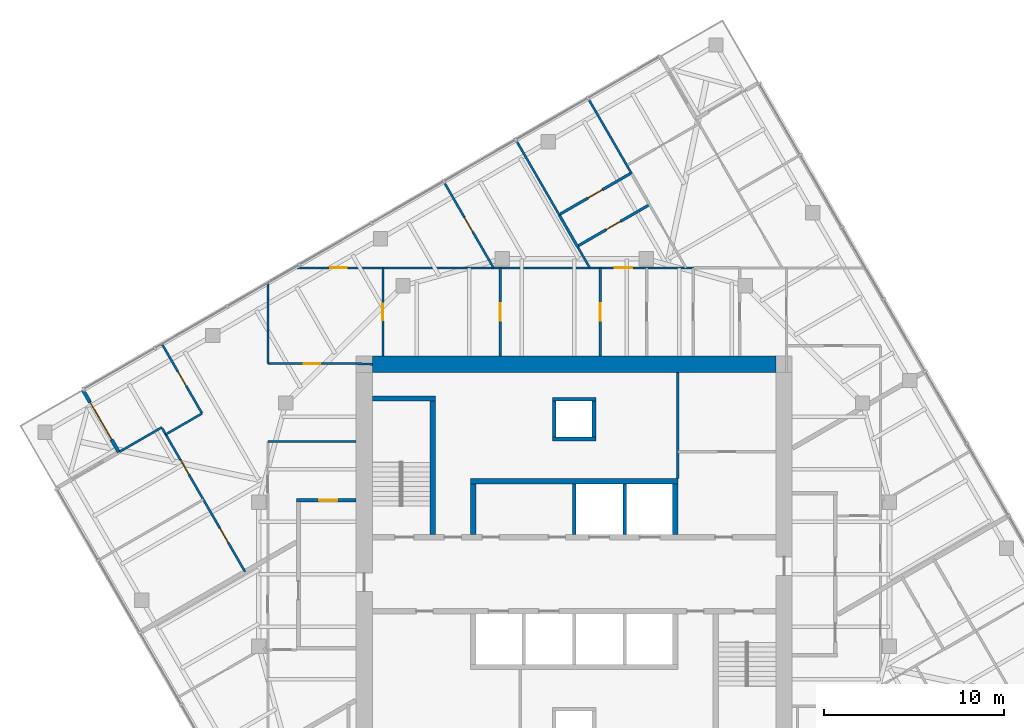
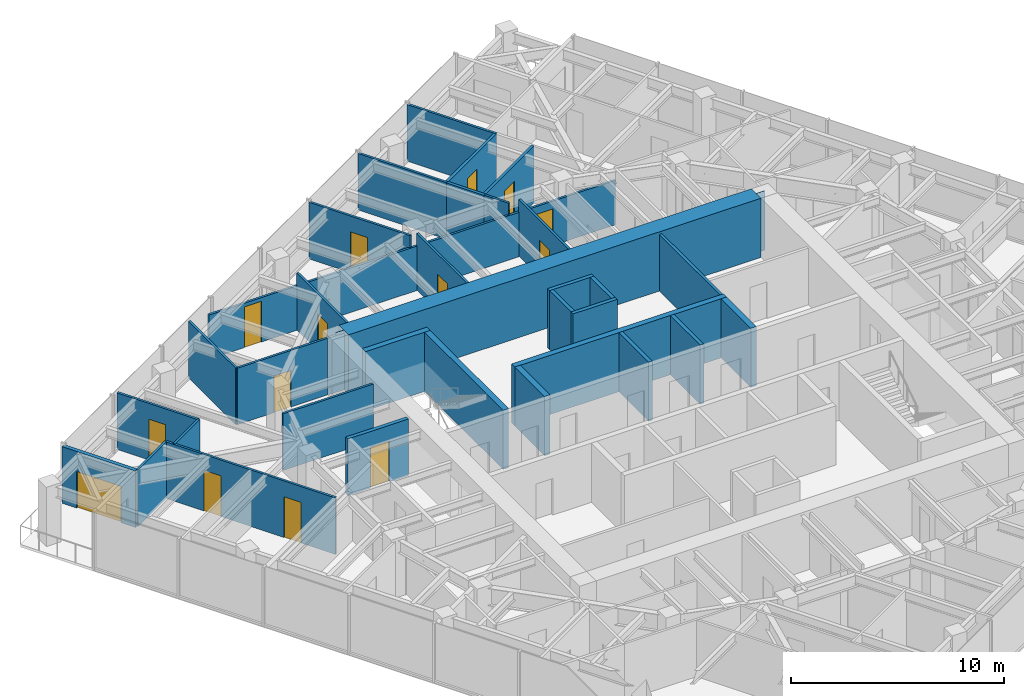
# One storey, part 10 of 12: 34 walls, 14 doors, 14 openings.
"""IFC4 building model written with IfcOpenShell, lengths in metres."""

import ifcopenshell
import ifcopenshell.guid

model = None  # the IFC model being written
_history = None  # IfcOwnerHistory: only IFC2X3 demands one
_inside = {}  # id of a spatial element -> (the spatial element, [elements in it])
_under = {}  # id of a project, library or spatial element -> (it, [spatial elements below it])
_declared = {}  # id of a project -> (the project, [libraries it declares])
_typed = {}  # id of a type object -> (the type object, [elements of that type])
_made_of = {}  # id of a material, layer set ... -> (it, [elements and type objects made of it])


def new_model(schema):
    """Start an empty IFC model of exactly this schema.

    Asked for "IFC4X3", IfcOpenShell would pick the latest addendum, in which some entities
    have other attributes; the version numbers below select the first issue.
    IFC2X3 requires an IfcOwnerHistory on every rooted entity: one is made here for all.
    """
    global model, _history
    if schema == "IFC4X3":
        model = ifcopenshell.file(schema_version=(4, 3, 0, 0))
    else:
        model = ifcopenshell.file(schema=schema)
    _inside.clear()
    _under.clear()
    _declared.clear()
    _typed.clear()
    _made_of.clear()
    _history = None
    if model.schema == "IFC2X3":
        org = make("IfcOrganization", Name="unknown")
        user = make(
            "IfcPersonAndOrganization",
            ThePerson=make("IfcPerson", FamilyName="unknown"),
            TheOrganization=org,
        )
        app = make(
            "IfcApplication",
            ApplicationDeveloper=org,
            Version="unknown",
            ApplicationFullName="unknown",
            ApplicationIdentifier="unknown",
        )
        _history = make(
            "IfcOwnerHistory",
            OwningUser=user,
            OwningApplication=app,
            ChangeAction="ADDED",
            CreationDate=0,
        )
    return model


def make(cls, **values):
    """One entity of the class cls with the attributes given. An attribute that is None is left unset."""
    return model.create_entity(
        cls, **{name: value for name, value in values.items() if value is not None}
    )


def rooted(cls, **values):
    """An entity with a GlobalId (a new one), such as an element, a storey or a relation."""
    return make(cls, GlobalId=ifcopenshell.guid.new(), OwnerHistory=_history, **values)


def si_unit(unit_type, name, prefix=None):
    """IfcSIUnit, for example si_unit("LENGTHUNIT", "METRE", prefix="MILLI")."""
    return make("IfcSIUnit", UnitType=unit_type, Prefix=prefix, Name=name)


def assignment(units):
    """IfcUnitAssignment: the units of a project."""
    return None if units is None else make("IfcUnitAssignment", Units=units)


def point(xyz):
    """IfcCartesianPoint."""
    return None if xyz is None else make("IfcCartesianPoint", Coordinates=xyz)


def direction(xyz):
    """IfcDirection."""
    return None if xyz is None else make("IfcDirection", DirectionRatios=xyz)


def frame(location, z_axis=None, x_axis=None):
    """IfcAxis2Placement3D, a coordinate frame: its origin and axes. An axis left out is left unset."""
    return make(
        "IfcAxis2Placement3D",
        Location=point(location),
        Axis=direction(z_axis),
        RefDirection=direction(x_axis),
    )


def frame_2d(location, x_axis=None):
    """IfcAxis2Placement2D, a coordinate frame in the plane: its origin and x axis."""
    return make(
        "IfcAxis2Placement2D", Location=point(location), RefDirection=direction(x_axis)
    )


def origin():
    """The frame at (0, 0, 0) with its axes left unset."""
    return frame((0.0, 0.0, 0.0))


def place(relative_to, where):
    """IfcLocalPlacement: puts the frame where relative to a parent placement (None: the world)."""
    return make(
        "IfcLocalPlacement", PlacementRelTo=relative_to, RelativePlacement=where
    )


def context(
    kind, dimensions, precision=None, world=None, true_north=None, identifier=None
):
    """IfcGeometricRepresentationContext, for example the 3D "Model" context."""
    return make(
        "IfcGeometricRepresentationContext",
        ContextIdentifier=identifier,
        ContextType=kind,
        CoordinateSpaceDimension=dimensions,
        Precision=precision,
        WorldCoordinateSystem=world,
        TrueNorth=true_north,
    )


def subcontext(parent, identifier, kind, view, scale=None):
    """IfcGeometricRepresentationSubContext, for example "Body" below "Model"."""
    return make(
        "IfcGeometricRepresentationSubContext",
        ContextIdentifier=identifier,
        ContextType=kind,
        ParentContext=parent,
        TargetScale=scale,
        TargetView=view,
    )


def project(units=None, contexts=None):
    """IfcProject with its units and contexts."""
    return rooted(
        "IfcProject",
        Name="project",
        RepresentationContexts=contexts,
        UnitsInContext=assignment(units),
    )


def spatial(cls, under=None, at=None, **own):
    """A site, building, storey or space (cls), placed at a placement, below another one or the project."""
    s = rooted(cls, ObjectPlacement=at, **own)
    if under is not None:
        _under.setdefault(under.id(), (under, []))[1].append(s)
    return s


def polyline(points):
    """IfcPolyline through the points."""
    return make("IfcPolyline", Points=[point(p) for p in points])


def profile(cls, at=None, kind="AREA", **sizes):
    """A parametric profile (cls). Its sizes go by their IFC names, for example OverallWidth=200.0."""
    return make(cls, ProfileType=kind, Position=at, **sizes)


def rectangle(**sizes):
    """IfcRectangleProfileDef."""
    return profile("IfcRectangleProfileDef", **sizes)


def outline(outer, holes=None, kind="AREA"):
    """IfcArbitraryClosedProfileDef: a profile drawn as a closed curve; with holes, ...WithVoids."""
    if holes is None:
        return make("IfcArbitraryClosedProfileDef", ProfileType=kind, OuterCurve=outer)
    return make(
        "IfcArbitraryProfileDefWithVoids",
        ProfileType=kind,
        OuterCurve=outer,
        InnerCurves=holes,
    )


def extrude(swept, where, along, depth):
    """IfcExtrudedAreaSolid: the profile swept, set in the frame where, extruded along a direction by depth."""
    return make(
        "IfcExtrudedAreaSolid",
        SweptArea=swept,
        Position=where,
        ExtrudedDirection=direction(along),
        Depth=depth,
    )


def shape(context_of_items, identifier, shape_type, items):
    """IfcShapeRepresentation: the items that make up one representation, for example the "Body"."""
    return make(
        "IfcShapeRepresentation",
        ContextOfItems=context_of_items,
        RepresentationIdentifier=identifier,
        RepresentationType=shape_type,
        Items=items,
    )


def material(Name=None, Category=None):
    """IfcMaterial."""
    return make("IfcMaterial", Name=Name, Category=Category)


def layer(
    of_material, thickness, ventilated=None, Name=None, Category=None, Priority=None
):
    """IfcMaterialLayer: one layer of a wall or slab, of a material (None: an air gap)."""
    return make(
        "IfcMaterialLayer",
        Material=of_material,
        LayerThickness=thickness,
        IsVentilated=ventilated,
        Name=Name,
        Category=Category,
        Priority=Priority,
    )


def layer_set(layers, Name=None):
    """IfcMaterialLayerSet."""
    return make("IfcMaterialLayerSet", MaterialLayers=layers, LayerSetName=Name)


def made_of(thing, what):
    """Note that an element or type object is made of a material, layer set ...; save() writes the relation."""
    if what is not None:
        _made_of.setdefault(what.id(), (what, []))[1].append(thing)
    return thing


def type_object(cls, material=None, **own):
    """A type object (cls), such as IfcWallType, which elements share."""
    return made_of(rooted(cls, **own), material)


def element(
    cls,
    number,
    at=None,
    inside=None,
    cuts=None,
    type_object=None,
    material=None,
    context=None,
    identifier="Body",
    shape_type=None,
    held_by="IfcProductDefinitionShape",
    body=None,
    shapes=None,
    **own,
):
    """One element of the class cls, such as IfcWall. Its Tag is "e" and its number.

    at: its placement. inside: the storey or other place that contains it. cuts: it is an
    opening in that element (IfcRelVoidsElement). A single representation is given by context,
    identifier, shape_type and body (its items); several are given by shapes. held_by: the class
    of the entity that holds the representations. save() writes the other relations.
    """
    e = rooted(cls, Tag="e%d" % number, ObjectPlacement=at, **own)
    if body is not None:
        shapes = [shape(context, identifier, shape_type, body)]
    if shapes is not None:
        e.Representation = make(held_by, Representations=shapes)
    if inside is not None:
        _inside.setdefault(inside.id(), (inside, []))[1].append(e)
    if cuts is not None:
        rooted(
            "IfcRelVoidsElement", RelatingBuildingElement=cuts, RelatedOpeningElement=e
        )
    if type_object is not None:
        _typed.setdefault(type_object.id(), (type_object, []))[1].append(e)
    return made_of(e, material)


def fill(opening, filler):
    """IfcRelFillsElement: the door or window that sits in an opening."""
    return rooted(
        "IfcRelFillsElement",
        RelatingOpeningElement=opening,
        RelatedBuildingElement=filler,
    )


def aggregate(whole, parts):
    """IfcRelAggregates: a whole, such as a stair, and the parts it consists of."""
    return rooted("IfcRelAggregates", RelatingObject=whole, RelatedObjects=parts)


def save(model, path):
    """Write the relations noted so far, then the file.

    IfcRelAggregates (storeys below a building ...), IfcRelContainedInSpatialStructure (elements
    in a storey), IfcRelDefinesByType, IfcRelAssociatesMaterial and IfcRelDeclares: one each for
    every whole, place, type object, material and project.
    """
    for whole, parts in _under.values():
        aggregate(whole, parts)
    for where, things in _inside.values():
        rooted(
            "IfcRelContainedInSpatialStructure",
            RelatedElements=things,
            RelatingStructure=where,
        )
    for kind, things in _typed.values():
        rooted("IfcRelDefinesByType", RelatedObjects=things, RelatingType=kind)
    for what, things in _made_of.values():
        rooted("IfcRelAssociatesMaterial", RelatedObjects=things, RelatingMaterial=what)
    for by, libraries in _declared.values():
        rooted("IfcRelDeclares", RelatingContext=by, RelatedDefinitions=libraries)
    model.write(path)


model = new_model("IFC4")

# Units and contexts
model_context = context("Model", 3, precision=1e-05, world=origin(), true_north=direction((0.0, 1.0)))
body_context = subcontext(model_context, "Body", "Model", "MODEL_VIEW")
ifc_project = project(units=[si_unit("LENGTHUNIT", "METRE"), si_unit("AREAUNIT", "SQUARE_METRE"), si_unit("VOLUMEUNIT", "CUBIC_METRE"), si_unit("PLANEANGLEUNIT", "RADIAN"), si_unit("MASSUNIT", "GRAM", prefix="KILO")], contexts=[model_context])

# Site, building, storey
site_placement = place(None, origin())
site = spatial("IfcSite", under=ifc_project, at=site_placement, CompositionType="ELEMENT")
building_placement = place(site_placement, origin())
building = spatial("IfcBuilding", under=site, at=building_placement, Name="Torsade Residences", CompositionType="ELEMENT")
storey_placement = place(building_placement, frame((0.0, 0.0, 211.60009765625)))
storey = spatial("IfcBuildingStorey", under=building, at=storey_placement, Name="L58", CompositionType="ELEMENT", Elevation=211.60009765625)

# Walls
ifc_material_1 = material(Name="Concrete 80 MPa", Category="concrete")
ifc_layer_1 = layer(ifc_material_1, 0.300048828125)
ifc_layer_set_1 = layer_set([ifc_layer_1], Name="Concrete 80 MPa")
wall_type_1 = type_object("IfcWallType", Name="CORE INTERNAL WALL 300", PredefinedType="SHEAR", material=ifc_layer_set_1)
wall_1_placement = place(storey_placement, frame((34.25, 35.14990234375, 0.0), z_axis=(0.0, 0.0, 1.0), x_axis=(1.0, 0.0, 0.0)))
element("IfcWall", 1, at=wall_1_placement, inside=storey, type_object=wall_type_1, Name="Core wall BN L58", PredefinedType="SHEAR", context=body_context, shape_type="SweptSolid", body=[
    extrude(rectangle(XDim=11.5, YDim=0.300048828125, at=frame_2d((5.75, 0.0))), origin(), (0.0, 0.0, 1.0), 3.39990234375),
])
for number, where, z_axis, x_axis, name in (
    (2, (34.39990234375, 32.199951171875, 0.0), (0.0, 0.0, 1.0), (0.0, 1.0, 0.0), "Core wall DN0 L58"),
    (3, (45.60009765625, 32.199951171875, 0.0), (0.0, 0.0, 1.0), (0.0, 1.0, 0.0), "Core wall DN4 L58"),
):
    element("IfcWall", number, at=place(storey_placement, frame(where, z_axis=z_axis, x_axis=x_axis)), inside=storey, type_object=wall_type_1, Name=name, PredefinedType="SHEAR", context=body_context, shape_type="SweptSolid", body=[
        extrude(rectangle(XDim=2.800048828125, YDim=0.300048828125, at=frame_2d((1.39990234375, 0.0))), origin(), (0.0, 0.0, 1.0), 3.39990234375),
    ])
wall_2_placement = place(storey_placement, frame((32.14990234375, 32.199951171875, 0.0), z_axis=(0.0, 0.0, 1.0), x_axis=(0.0, 1.0, 0.0)))
element("IfcWall", 4, at=wall_2_placement, inside=storey, type_object=wall_type_1, Name="Core wall ST1E L58", PredefinedType="SHEAR", context=body_context, shape_type="SweptSolid", body=[
    extrude(rectangle(XDim=7.699951171875, YDim=0.300048828125, at=frame_2d((3.85009765625, 0.0))), origin(), (0.0, 0.0, 1.0), 3.39990234375),
])
wall_3_placement = place(storey_placement, frame((28.800048828125, 39.75, 0.0), z_axis=(0.0, 0.0, 1.0), x_axis=(1.0, 0.0, 0.0)))
element("IfcWall", 5, at=wall_3_placement, inside=storey, type_object=wall_type_1, Name="Core wall ST1N L58", PredefinedType="SHEAR", context=body_context, shape_type="SweptSolid", body=[
    extrude(rectangle(XDim=3.5, YDim=0.300048828125, at=frame_2d((1.75, 0.0))), origin(), (0.0, 0.0, 1.0), 3.39990234375),
])
ifc_material_2 = material(Name="Concrete 80 MPa", Category="concrete")
ifc_layer_2 = layer(ifc_material_2, 0.89990234375)
ifc_layer_set_2 = layer_set([ifc_layer_2], Name="Concrete 80 MPa")
wall_type_2 = type_object("IfcWallType", Name="CORE WALL 900", PredefinedType="SHEAR", material=ifc_layer_set_2)
wall_4_placement = place(storey_placement, frame((28.800048828125, 41.64990234375, 0.0), z_axis=(0.0, 0.0, 1.0), x_axis=(1.0, 0.0, 0.0)))
element("IfcWall", 6, at=wall_4_placement, inside=storey, type_object=wall_type_2, Name="Core wall N L58", PredefinedType="SHEAR", context=body_context, shape_type="SweptSolid", body=[
    extrude(outline(polyline([(0.0, -0.449951171875), (22.39990234375, -0.449951171875), (22.39990234375, -0.02490234375), (22.849853515625, -0.02490234375), (22.849853515625, 0.02490234375), (22.39990234375, 0.02490234375), (22.39990234375, 0.449951171875), (0.0, 0.449951171875), (0.0, 0.02490234375), (-0.449951171875, 0.02490234375), (-0.449951171875, -0.02490234375), (0.0, -0.02490234375), (0.0, -0.449951171875)])), origin(), (0.0, 0.0, 1.0), 3.39990234375),
])

# Wall, opening, door
ifc_material_3 = material(Name="Plasterboard on steel stud", Category="steel")
ifc_layer_3 = layer(ifc_material_3, 0.199951171875)
ifc_layer_set_3 = layer_set([ifc_layer_3], Name="Plasterboard on steel stud")
wall_type_3 = type_object("IfcWallType", Name="CORRIDOR WALL 200", PredefinedType="PARTITIONING", material=ifc_layer_set_3)
wall_5_placement = place(storey_placement, frame((27.89990234375, 34.10009765625, 0.0), z_axis=(0.0, 0.0, 1.0), x_axis=(-1.0, 0.0, 0.0)))
wall_5 = element("IfcWall", 7, at=wall_5_placement, inside=storey, type_object=wall_type_3, Name="Corridor wall L58", PredefinedType="PARTITIONING", context=body_context, shape_type="SweptSolid", body=[
    extrude(rectangle(XDim=3.2998046875, YDim=0.199951171875, at=frame_2d((1.64990234375, 0.0))), origin(), (0.0, 0.0, 1.0), 3.25),
])
opening_1_placement = place(wall_5_placement, frame((1.0400390625, 0.0, 0.0)))
opening_1 = element("IfcOpeningElement", 8, at=opening_1_placement, cuts=wall_5, Name="Opening D01", PredefinedType="OPENING", context=body_context, shape_type="SweptSolid", body=[
    extrude(rectangle(XDim=1.02001953125, YDim=2.340087890625, at=frame_2d((0.510009765625, 1.169921875))), frame((0.0, 0.10986328125, 0.0), z_axis=(0.0, -1.0, 0.0), x_axis=(1.0, 0.0, 0.0)), (0.0, 0.0, 1.0), 0.219970703125),
])
ifc_material_4 = material(Name="Solid-core timber fire door", Category="wood")
door_type_1 = type_object("IfcDoorType", Name="APARTMENT ENTRY DOOR 1020x2340", OperationType="NOTDEFINED", PredefinedType="DOOR", material=ifc_material_4)
door_1_placement = place(opening_1_placement, origin())
door_1 = element("IfcDoor", 9, at=door_1_placement, inside=storey, type_object=door_type_1, Name="Door Residential corridor to Kitchen and dining", OperationType="SINGLE_SWING_RIGHT", OverallHeight=2.340087890625, OverallWidth=1.02001953125, PredefinedType="DOOR", context=body_context, shape_type="SweptSolid", body=[
    extrude(rectangle(XDim=1.02001953125, YDim=2.340087890625, at=frame_2d((0.510009765625, 1.169921875))), frame((0.0, 0.02490234375, 0.0), z_axis=(0.0, -1.0, 0.0), x_axis=(1.0, 0.0, 0.0)), (0.0, 0.0, 1.0), 0.050048828125),
])
fill(opening_1, door_1)

# Walls
ifc_material_5 = material(Name="Reinforced blockwork", Category="masonry")
ifc_layer_4 = layer(ifc_material_5, 0.199951171875)
ifc_layer_set_4 = layer_set([ifc_layer_4], Name="Reinforced blockwork")
wall_type_4 = type_object("IfcWallType", Name="LIFT SHAFT DIVIDING WALL 200", PredefinedType="SOLIDWALL", material=ifc_layer_set_4)
for number, where, z_axis, x_axis, name in (
    (10, (40.0, 32.199951171875, 0.0), (0.0, 0.0, 1.0), (0.0, 1.0, 0.0), "Core wall DN2 L58"),
    (11, (42.800048828125, 32.199951171875, 0.0), (0.0, 0.0, 1.0), (0.0, 1.0, 0.0), "Core wall DN3 L58"),
):
    element("IfcWall", number, at=place(storey_placement, frame(where, z_axis=z_axis, x_axis=x_axis)), inside=storey, type_object=wall_type_4, Name=name, PredefinedType="SOLIDWALL", context=body_context, shape_type="SweptSolid", body=[
        extrude(rectangle(XDim=2.800048828125, YDim=0.199951171875, at=frame_2d((1.39990234375, 0.0))), origin(), (0.0, 0.0, 1.0), 3.39990234375),
    ])
ifc_material_6 = material(Name="Plasterboard on steel stud", Category="steel")
ifc_layer_5 = layer(ifc_material_6, 0.1201171875)
ifc_layer_set_5 = layer_set([ifc_layer_5], Name="Plasterboard on steel stud")
wall_type_5 = type_object("IfcWallType", Name="PARTITION 120", PredefinedType="PARTITIONING", material=ifc_layer_set_5)
wall_6_placement = place(storey_placement, frame((23.0, 37.365478515625, 0.0), z_axis=(0.0, 0.0, 1.0), x_axis=(1.0, 0.0, 0.0)))
element("IfcWall", 12, at=wall_6_placement, inside=storey, type_object=wall_type_5, Name="Partition L58", PredefinedType="PARTITIONING", context=body_context, shape_type="SweptSolid", body=[
    extrude(rectangle(XDim=4.89990234375, YDim=0.1201171875, at=frame_2d((2.449951171875, 0.0))), origin(), (0.0, 0.0, 1.0), 3.25),
])

# Wall, opening, door
wall_7_placement = place(storey_placement, frame((29.380615234375, 47.0, 0.0), z_axis=(0.0, 0.0, 1.0), x_axis=(0.0, -1.0, 0.0)))
wall_7 = element("IfcWall", 13, at=wall_7_placement, inside=storey, type_object=wall_type_5, Name="Partition L58", PredefinedType="PARTITIONING", context=body_context, shape_type="SweptSolid", body=[
    extrude(rectangle(XDim=4.89990234375, YDim=0.1201171875, at=frame_2d((2.449951171875, 0.0))), origin(), (0.0, 0.0, 1.0), 3.25),
])
opening_2_placement = place(wall_7_placement, frame((1.989990234375, 0.0, 0.0)))
opening_2 = element("IfcOpeningElement", 14, at=opening_2_placement, cuts=wall_7, Name="Opening D02L", PredefinedType="OPENING", context=body_context, shape_type="SweptSolid", body=[
    extrude(rectangle(XDim=0.919921875, YDim=2.10009765625, at=frame_2d((0.4599609375, 1.050048828125))), frame((0.0, 0.070068359375, 0.0), z_axis=(0.0, -1.0, 0.0), x_axis=(1.0, 0.0, 0.0)), (0.0, 0.0, 1.0), 0.14013671875),
])
ifc_material_7 = material(Name="Hollow-core timber door", Category="wood")
door_type_2 = type_object("IfcDoorType", Name="INTERNAL DOOR 920x2100", OperationType="NOTDEFINED", PredefinedType="DOOR", material=ifc_material_7)
door_2_placement = place(opening_2_placement, origin())
door_2 = element("IfcDoor", 15, at=door_2_placement, inside=storey, type_object=door_type_2, Name="Door Scullery to Pantry", OperationType="SINGLE_SWING_LEFT", OverallHeight=2.10009765625, OverallWidth=0.919921875, PredefinedType="DOOR", context=body_context, shape_type="SweptSolid", body=[
    extrude(rectangle(XDim=0.919921875, YDim=2.10009765625, at=frame_2d((0.4599609375, 1.050048828125))), frame((0.0, 0.02490234375, 0.0), z_axis=(0.0, -1.0, 0.0), x_axis=(1.0, 0.0, 0.0)), (0.0, 0.0, 1.0), 0.050048828125),
])
fill(opening_2, door_2)

wall_8_placement = place(storey_placement, frame((27.89990234375, 41.686767578125, 0.0), z_axis=(0.0, 0.0, 1.0), x_axis=(-1.0, 0.0, 0.0)))
wall_8 = element("IfcWall", 16, at=wall_8_placement, inside=storey, type_object=wall_type_5, Name="Partition L58", PredefinedType="PARTITIONING", context=body_context, shape_type="SweptSolid", body=[
    extrude(rectangle(XDim=4.89990234375, YDim=0.1201171875, at=frame_2d((2.449951171875, 0.0))), origin(), (0.0, 0.0, 1.0), 3.25),
])
opening_3_placement = place(wall_8_placement, frame((1.989990234375, 0.0, 0.0)))
opening_3 = element("IfcOpeningElement", 17, at=opening_3_placement, cuts=wall_8, Name="Opening D02L", PredefinedType="OPENING", context=body_context, shape_type="SweptSolid", body=[
    extrude(rectangle(XDim=0.919921875, YDim=2.10009765625, at=frame_2d((0.4599609375, 1.050048828125))), frame((0.0, 0.070068359375, 0.0), z_axis=(0.0, -1.0, 0.0), x_axis=(1.0, 0.0, 0.0)), (0.0, 0.0, 1.0), 0.14013671875),
])
door_3_placement = place(opening_3_placement, origin())
door_3 = element("IfcDoor", 18, at=door_3_placement, inside=storey, type_object=door_type_2, Name="Door Living room to Scullery", OperationType="SINGLE_SWING_LEFT", OverallHeight=2.10009765625, OverallWidth=0.919921875, PredefinedType="DOOR", context=body_context, shape_type="SweptSolid", body=[
    extrude(rectangle(XDim=0.919921875, YDim=2.10009765625, at=frame_2d((0.4599609375, 1.050048828125))), frame((0.0, 0.02490234375, 0.0), z_axis=(0.0, -1.0, 0.0), x_axis=(1.0, 0.0, 0.0)), (0.0, 0.0, 1.0), 0.050048828125),
])
fill(opening_3, door_3)

# Wall
wall_9_placement = place(storey_placement, frame((23.0, 41.686767578125, 0.0), z_axis=(0.0, 0.0, 1.0), x_axis=(0.0, 1.0, 0.0)))
element("IfcWall", 19, at=wall_9_placement, inside=storey, type_object=wall_type_5, Name="Partition L58", PredefinedType="PARTITIONING", context=body_context, shape_type="SweptSolid", body=[
    extrude(rectangle(XDim=4.432861328125, YDim=0.1201171875, at=frame_2d((2.21630859375, 0.0))), origin(), (0.0, 0.0, 1.0), 3.25),
])

# Wall, openings, doors
wall_10_placement = place(storey_placement, frame((24.52490234375, 47.0, 0.0), z_axis=(0.0, 0.0, 1.0), x_axis=(1.0, 0.0, 0.0)))
wall_10 = element("IfcWall", 20, at=wall_10_placement, inside=storey, type_object=wall_type_5, Name="Partition L58", PredefinedType="PARTITIONING", context=body_context, shape_type="SweptSolid", body=[
    extrude(rectangle(XDim=22.08740234375, YDim=0.1201171875, at=frame_2d((11.043701171875, 0.0))), origin(), (0.0, 0.0, 1.0), 2.5498046875),
])
opening_4_placement = place(wall_10_placement, frame((1.927978515625, 0.0, 0.0)))
opening_4 = element("IfcOpeningElement", 21, at=opening_4_placement, cuts=wall_10, Name="Opening D02", PredefinedType="OPENING", context=body_context, shape_type="SweptSolid", body=[
    extrude(rectangle(XDim=0.919921875, YDim=2.340087890625, at=frame_2d((0.4599609375, 1.169921875))), frame((0.0, 0.070068359375, 0.0), z_axis=(0.0, -1.0, 0.0), x_axis=(1.0, 0.0, 0.0)), (0.0, 0.0, 1.0), 0.14013671875),
])
opening_5_placement = place(wall_10_placement, frame((17.73046875, 0.0, 0.0)))
opening_5 = element("IfcOpeningElement", 22, at=opening_5_placement, cuts=wall_10, Name="Opening D05", PredefinedType="OPENING", context=body_context, shape_type="SweptSolid", body=[
    extrude(rectangle(XDim=0.9599609375, YDim=2.10009765625, at=frame_2d((0.47998046875, 1.050048828125))), frame((0.0, 0.070068359375, 0.0), z_axis=(0.0, -1.0, 0.0), x_axis=(1.0, 0.0, 0.0)), (0.0, 0.0, 1.0), 0.14013671875),
])
ifc_material_8 = material(Name="Hollow-core timber door in a steel cavity frame", Category="steel")
door_type_3 = type_object("IfcDoorType", Name="BATHROOM CAVITY SLIDING DOOR 960", OperationType="SLIDING_TO_LEFT", PredefinedType="DOOR", material=ifc_material_8)
door_4_placement = place(opening_5_placement, origin())
door_4 = element("IfcDoor", 23, at=door_4_placement, inside=storey, type_object=door_type_3, Name="Door Ensuite to Walk-in robe 2", OperationType="SLIDING_TO_LEFT", OverallHeight=2.10009765625, OverallWidth=0.9599609375, PredefinedType="DOOR", context=body_context, shape_type="SweptSolid", body=[
    extrude(rectangle(XDim=0.9599609375, YDim=2.10009765625, at=frame_2d((0.47998046875, 1.050048828125))), frame((0.0, 0.02490234375, 0.0), z_axis=(0.0, -1.0, 0.0), x_axis=(1.0, 0.0, 0.0)), (0.0, 0.0, 1.0), 0.050048828125),
])
fill(opening_5, door_4)
ifc_material_9 = material(Name="Hollow-core timber door", Category="wood")
door_type_4 = type_object("IfcDoorType", Name="INTERNAL DOOR 920x2340", OperationType="NOTDEFINED", PredefinedType="DOOR", material=ifc_material_9)
door_5_placement = place(opening_4_placement, origin())
door_5 = element("IfcDoor", 24, at=door_5_placement, inside=storey, type_object=door_type_4, Name="Door Scullery to Study", OperationType="SINGLE_SWING_RIGHT", OverallHeight=2.340087890625, OverallWidth=0.919921875, PredefinedType="DOOR", context=body_context, shape_type="SweptSolid", body=[
    extrude(rectangle(XDim=0.919921875, YDim=2.340087890625, at=frame_2d((0.4599609375, 1.169921875))), frame((0.0, 0.02490234375, 0.0), z_axis=(0.0, -1.0, 0.0), x_axis=(1.0, 0.0, 0.0)), (0.0, 0.0, 1.0), 0.050048828125),
])
fill(opening_4, door_5)

# Wall, opening, door
wall_11_placement = place(storey_placement, frame((35.90087890625, 47.0, 0.0), z_axis=(0.0, 0.0, 1.0), x_axis=(0.0, -1.0, 0.0)))
wall_11 = element("IfcWall", 25, at=wall_11_placement, inside=storey, type_object=wall_type_5, Name="Partition L58", PredefinedType="PARTITIONING", context=body_context, shape_type="SweptSolid", body=[
    extrude(rectangle(XDim=4.89990234375, YDim=0.1201171875, at=frame_2d((2.449951171875, 0.0))), origin(), (0.0, 0.0, 1.0), 3.25),
])
opening_6_placement = place(wall_11_placement, frame((1.969970703125, 0.0, 0.0)))
opening_6 = element("IfcOpeningElement", 26, at=opening_6_placement, cuts=wall_11, Name="Opening D05", PredefinedType="OPENING", context=body_context, shape_type="SweptSolid", body=[
    extrude(rectangle(XDim=0.9599609375, YDim=2.10009765625, at=frame_2d((0.47998046875, 1.050048828125))), frame((0.0, 0.070068359375, 0.0), z_axis=(0.0, -1.0, 0.0), x_axis=(1.0, 0.0, 0.0)), (0.0, 0.0, 1.0), 0.14013671875),
])
door_6_placement = place(opening_6_placement, origin())
door_6 = element("IfcDoor", 27, at=door_6_placement, inside=storey, type_object=door_type_3, Name="Door Pantry to Laundry", OperationType="SLIDING_TO_LEFT", OverallHeight=2.10009765625, OverallWidth=0.9599609375, PredefinedType="DOOR", context=body_context, shape_type="SweptSolid", body=[
    extrude(rectangle(XDim=0.9599609375, YDim=2.10009765625, at=frame_2d((0.47998046875, 1.050048828125))), frame((0.0, 0.02490234375, 0.0), z_axis=(0.0, -1.0, 0.0), x_axis=(1.0, 0.0, 0.0)), (0.0, 0.0, 1.0), 0.050048828125),
])
fill(opening_6, door_6)

wall_12_placement = place(storey_placement, frame((41.44287109375, 42.10009765625, 0.0), z_axis=(0.0, 0.0, 1.0), x_axis=(0.0, 1.0, 0.0)))
wall_12 = element("IfcWall", 28, at=wall_12_placement, inside=storey, type_object=wall_type_5, Name="Partition L58", PredefinedType="PARTITIONING", context=body_context, shape_type="SweptSolid", body=[
    extrude(rectangle(XDim=4.89990234375, YDim=0.1201171875, at=frame_2d((2.449951171875, 0.0))), origin(), (0.0, 0.0, 1.0), 3.25),
])
opening_7_placement = place(wall_12_placement, frame((1.969970703125, 0.0, 0.0)))
opening_7 = element("IfcOpeningElement", 29, at=opening_7_placement, cuts=wall_12, Name="Opening D05", PredefinedType="OPENING", context=body_context, shape_type="SweptSolid", body=[
    extrude(rectangle(XDim=0.9599609375, YDim=2.10009765625, at=frame_2d((0.47998046875, 1.050048828125))), frame((0.0, 0.070068359375, 0.0), z_axis=(0.0, -1.0, 0.0), x_axis=(1.0, 0.0, 0.0)), (0.0, 0.0, 1.0), 0.14013671875),
])
door_7_placement = place(opening_7_placement, origin())
door_7 = element("IfcDoor", 30, at=door_7_placement, inside=storey, type_object=door_type_3, Name="Door Laundry to Ensuite", OperationType="SLIDING_TO_LEFT", OverallHeight=2.10009765625, OverallWidth=0.9599609375, PredefinedType="DOOR", context=body_context, shape_type="SweptSolid", body=[
    extrude(rectangle(XDim=0.9599609375, YDim=2.10009765625, at=frame_2d((0.47998046875, 1.050048828125))), frame((0.0, 0.02490234375, 0.0), z_axis=(0.0, -1.0, 0.0), x_axis=(1.0, 0.0, 0.0)), (0.0, 0.0, 1.0), 0.050048828125),
])
fill(opening_7, door_7)

# Wall, openings, doors
wall_13_placement = place(storey_placement, frame((21.732666015625, 30.13427734375, 0.0), z_axis=(0.0, 0.0, 1.0), x_axis=(-0.500019218905, 0.86601430746, 0.0)))
wall_13 = element("IfcWall", 31, at=wall_13_placement, inside=storey, type_object=wall_type_5, Name="Partition L58", PredefinedType="PARTITIONING", context=body_context, shape_type="SweptSolid", body=[
    extrude(rectangle(XDim=9.210205078125, YDim=0.1201171875, at=frame_2d((4.60498046875, 0.0))), origin(), (0.0, 0.0, 1.0), 3.25),
])
opening_8_placement = place(wall_13_placement, frame((1.87744140625, 0.0, 0.0)))
opening_8 = element("IfcOpeningElement", 32, at=opening_8_placement, cuts=wall_13, Name="Opening D02", PredefinedType="OPENING", context=body_context, shape_type="SweptSolid", body=[
    extrude(rectangle(XDim=0.919921875, YDim=2.340087890625, at=frame_2d((0.4599609375, 1.169921875))), frame((0.0, 0.070068359375, 0.0), z_axis=(0.0, -1.0, 0.0), x_axis=(1.0, 0.0, 0.0)), (0.0, 0.0, 1.0), 0.14013671875),
])
opening_9_placement = place(wall_13_placement, frame((6.2275390625, 0.0, 0.0)))
opening_9 = element("IfcOpeningElement", 33, at=opening_9_placement, cuts=wall_13, Name="Opening D02", PredefinedType="OPENING", context=body_context, shape_type="SweptSolid", body=[
    extrude(rectangle(XDim=0.919921875, YDim=2.340087890625, at=frame_2d((0.4599609375, 1.169921875))), frame((0.0, 0.070068359375, 0.0), z_axis=(0.0, -1.0, 0.0), x_axis=(1.0, 0.0, 0.0)), (0.0, 0.0, 1.0), 0.14013671875),
])
door_8_placement = place(opening_8_placement, origin())
door_8 = element("IfcDoor", 34, at=door_8_placement, inside=storey, type_object=door_type_4, Name="Door Living room to Bedroom 3", OperationType="SINGLE_SWING_LEFT", OverallHeight=2.340087890625, OverallWidth=0.919921875, PredefinedType="DOOR", context=body_context, shape_type="SweptSolid", body=[
    extrude(rectangle(XDim=0.919921875, YDim=2.340087890625, at=frame_2d((0.4599609375, 1.169921875))), frame((0.0, 0.02490234375, 0.0), z_axis=(0.0, -1.0, 0.0), x_axis=(1.0, 0.0, 0.0)), (0.0, 0.0, 1.0), 0.050048828125),
])
fill(opening_8, door_8)
door_9_placement = place(opening_9_placement, origin())
door_9 = element("IfcDoor", 35, at=door_9_placement, inside=storey, type_object=door_type_4, Name="Door Living room to Bedroom 4", OperationType="SINGLE_SWING_LEFT", OverallHeight=2.340087890625, OverallWidth=0.919921875, PredefinedType="DOOR", context=body_context, shape_type="SweptSolid", body=[
    extrude(rectangle(XDim=0.919921875, YDim=2.340087890625, at=frame_2d((0.4599609375, 1.169921875))), frame((0.0, 0.02490234375, 0.0), z_axis=(0.0, -1.0, 0.0), x_axis=(1.0, 0.0, 0.0)), (0.0, 0.0, 1.0), 0.050048828125),
])
fill(opening_9, door_9)

# Wall
wall_14_placement = place(storey_placement, frame((17.33251953125, 37.75537109375, 0.0), z_axis=(0.0, 0.0, 1.0), x_axis=(0.866059848015, 0.499940336097, 0.0)))
element("IfcWall", 36, at=wall_14_placement, inside=storey, type_object=wall_type_5, Name="Partition L58", PredefinedType="PARTITIONING", context=body_context, shape_type="SweptSolid", body=[
    extrude(rectangle(XDim=2.327880859375, YDim=0.1201171875, at=frame_2d((1.1640625, 0.0))), origin(), (0.0, 0.0, 1.0), 3.25),
])

# Wall, opening, door
wall_15_placement = place(storey_placement, frame((19.3486328125, 38.919189453125, 0.0), z_axis=(0.0, 0.0, 1.0), x_axis=(-0.499997192861, 0.866027024481, 0.0)))
wall_15 = element("IfcWall", 37, at=wall_15_placement, inside=storey, type_object=wall_type_5, Name="Partition L58", PredefinedType="PARTITIONING", context=body_context, shape_type="SweptSolid", body=[
    extrude(rectangle(XDim=4.41015625, YDim=0.1201171875, at=frame_2d((2.205078125, 0.0))), origin(), (0.0, 0.0, 1.0), 3.25),
])
opening_10_placement = place(wall_15_placement, frame((1.764892578125, 0.0, 0.0)))
opening_10 = element("IfcOpeningElement", 38, at=opening_10_placement, cuts=wall_15, Name="Opening D02", PredefinedType="OPENING", context=body_context, shape_type="SweptSolid", body=[
    extrude(rectangle(XDim=0.919921875, YDim=2.340087890625, at=frame_2d((0.4599609375, 1.169921875))), frame((0.0, 0.070068359375, 0.0), z_axis=(0.0, -1.0, 0.0), x_axis=(1.0, 0.0, 0.0)), (0.0, 0.0, 1.0), 0.14013671875),
])
door_10_placement = place(opening_10_placement, origin())
door_10 = element("IfcDoor", 39, at=door_10_placement, inside=storey, type_object=door_type_4, Name="Door Living room to Media room 2", OperationType="SINGLE_SWING_LEFT", OverallHeight=2.340087890625, OverallWidth=0.919921875, PredefinedType="DOOR", context=body_context, shape_type="SweptSolid", body=[
    extrude(rectangle(XDim=0.919921875, YDim=2.340087890625, at=frame_2d((0.4599609375, 1.169921875))), frame((0.0, 0.02490234375, 0.0), z_axis=(0.0, -1.0, 0.0), x_axis=(1.0, 0.0, 0.0)), (0.0, 0.0, 1.0), 0.050048828125),
])
fill(opening_10, door_10)

# Wall
wall_16_placement = place(storey_placement, frame((43.193115234375, 52.219482421875, 0.0), z_axis=(0.0, 0.0, 1.0), x_axis=(-0.50000634465, 0.866021740668, 0.0)))
element("IfcWall", 40, at=wall_16_placement, inside=storey, type_object=wall_type_5, Name="Partition L58", PredefinedType="PARTITIONING", context=body_context, shape_type="SweptSolid", body=[
    extrude(rectangle(XDim=4.81396484375, YDim=0.1201171875, at=frame_2d((2.406982421875, 0.0))), origin(), (0.0, 0.0, 1.0), 3.25),
])

# Wall, opening, door
wall_17_placement = place(storey_placement, frame((35.525634765625, 47.0, 0.0), z_axis=(0.0, 0.0, 1.0), x_axis=(-0.500010615962, 0.866019274569, 0.0)))
wall_17 = element("IfcWall", 41, at=wall_17_placement, inside=storey, type_object=wall_type_5, Name="Partition L58", PredefinedType="PARTITIONING", context=body_context, shape_type="SweptSolid", body=[
    extrude(rectangle(XDim=5.50048828125, YDim=0.1201171875, at=frame_2d((2.750244140625, 0.0))), origin(), (0.0, 0.0, 1.0), 3.25),
])
opening_11_placement = place(wall_17_placement, frame((2.31005859375, 0.0, 0.0)))
opening_11 = element("IfcOpeningElement", 42, at=opening_11_placement, cuts=wall_17, Name="Opening D02", PredefinedType="OPENING", context=body_context, shape_type="SweptSolid", body=[
    extrude(rectangle(XDim=0.919921875, YDim=2.340087890625, at=frame_2d((0.4599609375, 1.169921875))), frame((0.0, 0.070068359375, 0.0), z_axis=(0.0, -1.0, 0.0), x_axis=(1.0, 0.0, 0.0)), (0.0, 0.0, 1.0), 0.14013671875),
])
door_11_placement = place(opening_11_placement, origin())
door_11 = element("IfcDoor", 43, at=door_11_placement, inside=storey, type_object=door_type_4, Name="Door Study to Bedroom 2", OperationType="SINGLE_SWING_LEFT", OverallHeight=2.340087890625, OverallWidth=0.919921875, PredefinedType="DOOR", context=body_context, shape_type="SweptSolid", body=[
    extrude(rectangle(XDim=0.919921875, YDim=2.340087890625, at=frame_2d((0.4599609375, 1.169921875))), frame((0.0, 0.02490234375, 0.0), z_axis=(0.0, -1.0, 0.0), x_axis=(1.0, 0.0, 0.0)), (0.0, 0.0, 1.0), 0.050048828125),
])
fill(opening_11, door_11)

# Walls
wall_18_placement = place(storey_placement, frame((36.78076171875, 54.075927734375, 0.0), z_axis=(0.0, 0.0, 1.0), x_axis=(0.50000634465, -0.866021740668, 0.0)))
element("IfcWall", 44, at=wall_18_placement, inside=storey, type_object=wall_type_5, Name="Partition L58", PredefinedType="PARTITIONING", context=body_context, shape_type="SweptSolid", body=[
    extrude(rectangle(XDim=4.81396484375, YDim=0.1201171875, at=frame_2d((2.406982421875, 0.0))), origin(), (0.0, 0.0, 1.0), 3.25),
])
wall_19_placement = place(storey_placement, frame((40.200439453125, 48.152587890625, 0.0), z_axis=(0.0, 0.0, 1.0), x_axis=(0.500045314201, -0.865999240038, 0.0)))
element("IfcWall", 45, at=wall_19_placement, inside=storey, type_object=wall_type_5, Name="Partition L58", PredefinedType="PARTITIONING", context=body_context, shape_type="SweptSolid", body=[
    extrude(rectangle(XDim=1.3310546875, YDim=0.1201171875, at=frame_2d((0.66552734375, 0.0))), origin(), (0.0, 0.0, 1.0), 3.25),
])
wall_20_placement = place(storey_placement, frame((14.76318359375, 36.79150390625, 0.0), z_axis=(0.0, 0.0, 1.0), x_axis=(0.86601436245, 0.500019123664, 0.0)))
element("IfcWall", 46, at=wall_20_placement, inside=storey, type_object=wall_type_5, Name="Partition L58", PredefinedType="PARTITIONING", context=body_context, shape_type="SweptSolid", body=[
    extrude(rectangle(XDim=2.70703125, YDim=0.1201171875, at=frame_2d((1.353515625, 0.0))), origin(), (0.0, 0.0, 1.0), 3.25),
])
wall_21_placement = place(storey_placement, frame((27.89990234375, 41.686767578125, 0.0), z_axis=(0.0, 0.0, 1.0), x_axis=(0.999162409553, -0.040920402453, 0.0)))
element("IfcWall", 47, at=wall_21_placement, inside=storey, type_object=wall_type_5, Name="Partition L58", PredefinedType="PARTITIONING", context=body_context, shape_type="SweptSolid", body=[
    extrude(rectangle(XDim=0.90087890625, YDim=0.1201171875, at=frame_2d((0.450439453125, 0.0))), origin(), (0.0, 0.0, 1.0), 3.25),
])
ifc_material_10 = material(Name="Reinforced blockwork", Category="masonry")
ifc_layer_6 = layer(ifc_material_10, 0.199951171875)
ifc_layer_set_6 = layer_set([ifc_layer_6], Name="Reinforced blockwork")
wall_type_6 = type_object("IfcWallType", Name="RISER SHAFT WALL 200", PredefinedType="SOLIDWALL", material=ifc_layer_set_6)
for number, where, z_axis, x_axis, name in (
    (48, (38.89990234375, 37.60009765625, 0.0), (0.0, 0.0, 1.0), (0.0, 1.0, 0.0), "Core wall RS1a L58"),
    (49, (41.10009765625, 37.60009765625, 0.0), (0.0, 0.0, 1.0), (0.0, 1.0, 0.0), "Core wall RS1b L58"),
):
    element("IfcWall", number, at=place(storey_placement, frame(where, z_axis=z_axis, x_axis=x_axis)), inside=storey, type_object=wall_type_6, Name=name, PredefinedType="SOLIDWALL", context=body_context, shape_type="SweptSolid", body=[
        extrude(rectangle(XDim=2.0, YDim=0.199951171875, at=frame_2d((1.0, 0.0))), origin(), (0.0, 0.0, 1.0), 3.39990234375),
    ])
for number, where, z_axis, x_axis, name in (
    (50, (38.800048828125, 37.5, 0.0), (0.0, 0.0, 1.0), (1.0, 0.0, 0.0), "Core wall RS1c L58"),
    (51, (38.800048828125, 39.699951171875, 0.0), (0.0, 0.0, 1.0), (1.0, 0.0, 0.0), "Core wall RS1d L58"),
):
    element("IfcWall", number, at=place(storey_placement, frame(where, z_axis=z_axis, x_axis=x_axis)), inside=storey, type_object=wall_type_6, Name=name, PredefinedType="SOLIDWALL", context=body_context, shape_type="SweptSolid", body=[
        extrude(rectangle(XDim=2.39990234375, YDim=0.199951171875, at=frame_2d((1.199951171875, 0.0))), origin(), (0.0, 0.0, 1.0), 3.39990234375),
    ])
ifc_material_11 = material(Name="Reinforced blockwork", Category="masonry")
ifc_layer_7 = layer(ifc_material_11, 0.14990234375)
ifc_layer_set_7 = layer_set([ifc_layer_7], Name="Reinforced blockwork")
wall_type_7 = type_object("IfcWallType", Name="SERVICE ROOM WALL 150", PredefinedType="SOLIDWALL", material=ifc_layer_set_7)
wall_22_placement = place(storey_placement, frame((45.75, 41.199951171875, 0.0), z_axis=(0.0, 0.0, 1.0), x_axis=(0.0, -1.0, 0.0)))
element("IfcWall", 52, at=wall_22_placement, inside=storey, type_object=wall_type_7, Name="Service room wall L58", PredefinedType="SOLIDWALL", context=body_context, shape_type="SweptSolid", body=[
    extrude(rectangle(XDim=5.89990234375, YDim=0.14990234375, at=frame_2d((2.949951171875, 0.0))), origin(), (0.0, 0.0, 1.0), 3.25),
])
wall_23_placement = place(storey_placement, frame((39.187744140625, 49.906982421875, 0.0), z_axis=(0.0, 0.0, 1.0), x_axis=(0.499924156672, -0.866069187523, 0.0)))
element("IfcWall", 53, at=wall_23_placement, inside=storey, type_object=wall_type_7, Name="Service room wall L58", PredefinedType="SOLIDWALL", context=body_context, shape_type="SweptSolid", body=[
    extrude(rectangle(XDim=2.025634765625, YDim=0.14990234375, at=frame_2d((1.0126953125, 0.0))), origin(), (0.0, 0.0, 1.0), 3.25),
])

# Wall, opening, door
wall_24_placement = place(storey_placement, frame((43.16796875, 52.2626953125, 0.0), z_axis=(0.0, 0.0, 1.0), x_axis=(-0.866025598446, -0.499999662836, 0.0)))
wall_24 = element("IfcWall", 54, at=wall_24_placement, inside=storey, type_object=wall_type_7, Name="Service room wall L58", PredefinedType="SOLIDWALL", context=body_context, shape_type="SweptSolid", body=[
    extrude(rectangle(XDim=4.625, YDim=0.14990234375, at=frame_2d((2.3125, 0.0))), origin(), (0.0, 0.0, 1.0), 3.25),
])
opening_12_placement = place(wall_24_placement, frame((1.8525390625, 0.0, 0.0)))
opening_12 = element("IfcOpeningElement", 55, at=opening_12_placement, cuts=wall_24, Name="Opening D02", PredefinedType="OPENING", context=body_context, shape_type="SweptSolid", body=[
    extrude(rectangle(XDim=0.919921875, YDim=2.340087890625, at=frame_2d((0.4599609375, 1.169921875))), frame((0.0, 0.0849609375, 0.0), z_axis=(0.0, -1.0, 0.0), x_axis=(1.0, 0.0, 0.0)), (0.0, 0.0, 1.0), 0.169921875),
])
door_12_placement = place(opening_12_placement, origin())
door_12 = element("IfcDoor", 56, at=door_12_placement, inside=storey, type_object=door_type_4, Name="Door Linen store 2 to Family room", OperationType="SINGLE_SWING_RIGHT", OverallHeight=2.340087890625, OverallWidth=0.919921875, PredefinedType="DOOR", context=body_context, shape_type="SweptSolid", body=[
    extrude(rectangle(XDim=0.919921875, YDim=2.340087890625, at=frame_2d((0.4599609375, 1.169921875))), frame((0.0, 0.02490234375, 0.0), z_axis=(0.0, -1.0, 0.0), x_axis=(1.0, 0.0, 0.0)), (0.0, 0.0, 1.0), 0.050048828125),
])
fill(opening_12, door_12)

wall_25_placement = place(storey_placement, frame((40.175537109375, 48.196044921875, 0.0), z_axis=(0.0, 0.0, 1.0), x_axis=(0.866025598446, 0.499999662836, 0.0)))
wall_25 = element("IfcWall", 57, at=wall_25_placement, inside=storey, type_object=wall_type_7, Name="Service room wall L58", PredefinedType="SOLIDWALL", context=body_context, shape_type="SweptSolid", body=[
    extrude(rectangle(XDim=4.625, YDim=0.14990234375, at=frame_2d((2.3125, 0.0))), origin(), (0.0, 0.0, 1.0), 3.25),
])
opening_13_placement = place(wall_25_placement, frame((1.8525390625, 0.0, 0.0)))
opening_13 = element("IfcOpeningElement", 58, at=opening_13_placement, cuts=wall_25, Name="Opening D02", PredefinedType="OPENING", context=body_context, shape_type="SweptSolid", body=[
    extrude(rectangle(XDim=0.919921875, YDim=2.340087890625, at=frame_2d((0.4599609375, 1.169921875))), frame((0.0, 0.0849609375, 0.0), z_axis=(0.0, -1.0, 0.0), x_axis=(1.0, 0.0, 0.0)), (0.0, 0.0, 1.0), 0.169921875),
])
door_13_placement = place(opening_13_placement, origin())
door_13 = element("IfcDoor", 59, at=door_13_placement, inside=storey, type_object=door_type_4, Name="Door Walk-in robe 2 to Linen store 2", OperationType="SINGLE_SWING_LEFT", OverallHeight=2.340087890625, OverallWidth=0.919921875, PredefinedType="DOOR", context=body_context, shape_type="SweptSolid", body=[
    extrude(rectangle(XDim=0.919921875, YDim=2.340087890625, at=frame_2d((0.4599609375, 1.169921875))), frame((0.0, 0.02490234375, 0.0), z_axis=(0.0, -1.0, 0.0), x_axis=(1.0, 0.0, 0.0)), (0.0, 0.0, 1.0), 0.050048828125),
])
fill(opening_13, door_13)

ifc_material_12 = material(Name="Stone-faced precast concrete 40 MPa panel", Category="masonry")
ifc_layer_8 = layer(ifc_material_12, 0.199951171875)
ifc_layer_set_8 = layer_set([ifc_layer_8], Name="Stone-faced precast concrete 40 MPa panel")
wall_type_8 = type_object("IfcWallType", Name="TERRACE WALL 200", PredefinedType="SOLIDWALL", material=ifc_layer_set_8)
wall_26_placement = place(storey_placement, frame((12.728515625, 40.235595703125, 0.0), z_axis=(0.0, 0.0, 1.0), x_axis=(0.49999894854, -0.866026010844, 0.0)))
wall_26 = element("IfcWall", 60, at=wall_26_placement, inside=storey, type_object=wall_type_8, Name="Terrace wall L58 8", PredefinedType="SOLIDWALL", context=body_context, shape_type="SweptSolid", body=[
    extrude(rectangle(XDim=4.0, YDim=0.199951171875, at=frame_2d((2.0, 0.0))), origin(), (0.0, 0.0, 1.0), 3.25),
])
opening_14_placement = place(wall_26_placement, frame((0.800048828125, 0.0, 0.0)))
opening_14 = element("IfcOpeningElement", 61, at=opening_14_placement, cuts=wall_26, Name="Opening D10A", PredefinedType="OPENING", context=body_context, shape_type="SweptSolid", body=[
    extrude(rectangle(XDim=2.39990234375, YDim=2.10009765625, at=frame_2d((1.199951171875, 1.050048828125))), frame((0.0, 0.10986328125, 0.0), z_axis=(0.0, -1.0, 0.0), x_axis=(1.0, 0.0, 0.0)), (0.0, 0.0, 1.0), 0.219970703125),
])
ifc_material_13 = material(Name="Aluminium-framed glass door", Category="aluminium")
door_type_5 = type_object("IfcDoorType", Name="TERRACE SLIDING DOOR 2400x2100", OperationType="SLIDING_TO_LEFT", PredefinedType="DOOR", material=ifc_material_13)
door_14_placement = place(opening_14_placement, origin())
door_14 = element("IfcDoor", 62, at=door_14_placement, inside=storey, type_object=door_type_5, Name="Terrace door L58 8", OperationType="SLIDING_TO_LEFT", OverallHeight=2.10009765625, OverallWidth=2.39990234375, PredefinedType="DOOR", context=body_context, shape_type="SweptSolid", body=[
    extrude(rectangle(XDim=2.39990234375, YDim=2.10009765625, at=frame_2d((1.199951171875, 1.050048828125))), frame((0.0, 0.02490234375, 0.0), z_axis=(0.0, -1.0, 0.0), x_axis=(1.0, 0.0, 0.0)), (0.0, 0.0, 1.0), 0.050048828125),
])
fill(opening_14, door_14)

save(model, "model.ifc")
